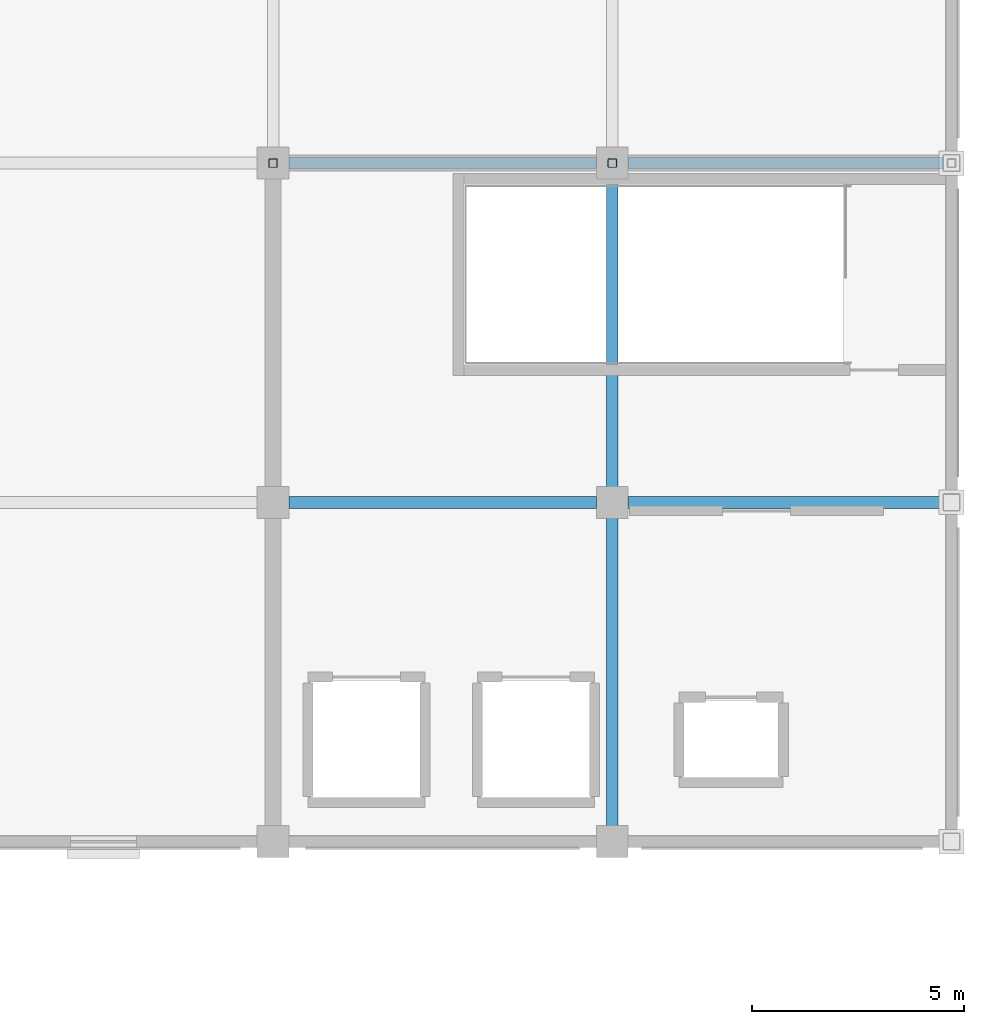
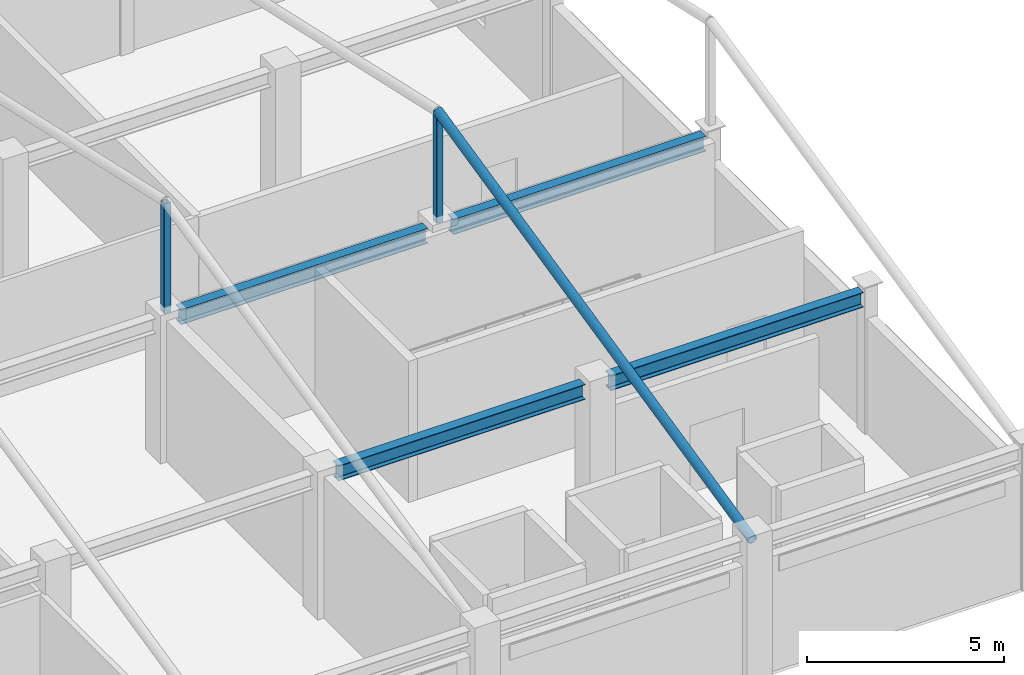
# One storey, part 8 of 16: 4 beams, 3 members.
"""IFC4 building model written with IfcOpenShell, lengths in metres."""

import ifcopenshell
import ifcopenshell.guid

model = None  # the IFC model being written
_history = None  # IfcOwnerHistory: only IFC2X3 demands one
_inside = {}  # id of a spatial element -> (the spatial element, [elements in it])
_under = {}  # id of a project, library or spatial element -> (it, [spatial elements below it])
_declared = {}  # id of a project -> (the project, [libraries it declares])
_typed = {}  # id of a type object -> (the type object, [elements of that type])
_made_of = {}  # id of a material, layer set ... -> (it, [elements and type objects made of it])


def new_model(schema):
    """Start an empty IFC model of exactly this schema.

    Asked for "IFC4X3", IfcOpenShell would pick the latest addendum, in which some entities
    have other attributes; the version numbers below select the first issue.
    IFC2X3 requires an IfcOwnerHistory on every rooted entity: one is made here for all.
    """
    global model, _history
    if schema == "IFC4X3":
        model = ifcopenshell.file(schema_version=(4, 3, 0, 0))
    else:
        model = ifcopenshell.file(schema=schema)
    _inside.clear()
    _under.clear()
    _declared.clear()
    _typed.clear()
    _made_of.clear()
    _history = None
    if model.schema == "IFC2X3":
        org = make("IfcOrganization", Name="unknown")
        user = make(
            "IfcPersonAndOrganization",
            ThePerson=make("IfcPerson", FamilyName="unknown"),
            TheOrganization=org,
        )
        app = make(
            "IfcApplication",
            ApplicationDeveloper=org,
            Version="unknown",
            ApplicationFullName="unknown",
            ApplicationIdentifier="unknown",
        )
        _history = make(
            "IfcOwnerHistory",
            OwningUser=user,
            OwningApplication=app,
            ChangeAction="ADDED",
            CreationDate=0,
        )
    return model


def make(cls, **values):
    """One entity of the class cls with the attributes given. An attribute that is None is left unset."""
    return model.create_entity(
        cls, **{name: value for name, value in values.items() if value is not None}
    )


def rooted(cls, **values):
    """An entity with a GlobalId (a new one), such as an element, a storey or a relation."""
    return make(cls, GlobalId=ifcopenshell.guid.new(), OwnerHistory=_history, **values)


def si_unit(unit_type, name, prefix=None):
    """IfcSIUnit, for example si_unit("LENGTHUNIT", "METRE", prefix="MILLI")."""
    return make("IfcSIUnit", UnitType=unit_type, Prefix=prefix, Name=name)


def assignment(units):
    """IfcUnitAssignment: the units of a project."""
    return None if units is None else make("IfcUnitAssignment", Units=units)


def point(xyz):
    """IfcCartesianPoint."""
    return None if xyz is None else make("IfcCartesianPoint", Coordinates=xyz)


def direction(xyz):
    """IfcDirection."""
    return None if xyz is None else make("IfcDirection", DirectionRatios=xyz)


def frame(location, z_axis=None, x_axis=None):
    """IfcAxis2Placement3D, a coordinate frame: its origin and axes. An axis left out is left unset."""
    return make(
        "IfcAxis2Placement3D",
        Location=point(location),
        Axis=direction(z_axis),
        RefDirection=direction(x_axis),
    )


def frame_2d(location, x_axis=None):
    """IfcAxis2Placement2D, a coordinate frame in the plane: its origin and x axis."""
    return make(
        "IfcAxis2Placement2D", Location=point(location), RefDirection=direction(x_axis)
    )


def origin():
    """The frame at (0, 0, 0) with its axes left unset."""
    return frame((0.0, 0.0, 0.0))


def origin_2d():
    """The frame at (0, 0) in the plane with its x axis left unset."""
    return frame_2d((0.0, 0.0))


def place(relative_to, where):
    """IfcLocalPlacement: puts the frame where relative to a parent placement (None: the world)."""
    return make(
        "IfcLocalPlacement", PlacementRelTo=relative_to, RelativePlacement=where
    )


def context(
    kind, dimensions, precision=None, world=None, true_north=None, identifier=None
):
    """IfcGeometricRepresentationContext, for example the 3D "Model" context."""
    return make(
        "IfcGeometricRepresentationContext",
        ContextIdentifier=identifier,
        ContextType=kind,
        CoordinateSpaceDimension=dimensions,
        Precision=precision,
        WorldCoordinateSystem=world,
        TrueNorth=true_north,
    )


def subcontext(parent, identifier, kind, view, scale=None):
    """IfcGeometricRepresentationSubContext, for example "Body" below "Model"."""
    return make(
        "IfcGeometricRepresentationSubContext",
        ContextIdentifier=identifier,
        ContextType=kind,
        ParentContext=parent,
        TargetScale=scale,
        TargetView=view,
    )


def project(units=None, contexts=None):
    """IfcProject with its units and contexts."""
    return rooted(
        "IfcProject",
        Name="project",
        RepresentationContexts=contexts,
        UnitsInContext=assignment(units),
    )


def spatial(cls, under=None, at=None, **own):
    """A site, building, storey or space (cls), placed at a placement, below another one or the project."""
    s = rooted(cls, ObjectPlacement=at, **own)
    if under is not None:
        _under.setdefault(under.id(), (under, []))[1].append(s)
    return s


def profile(cls, at=None, kind="AREA", **sizes):
    """A parametric profile (cls). Its sizes go by their IFC names, for example OverallWidth=200.0."""
    return make(cls, ProfileType=kind, Position=at, **sizes)


def hollow_rectangle(**sizes):
    """IfcRectangleHollowProfileDef."""
    return profile("IfcRectangleHollowProfileDef", **sizes)


def hollow_circle(**sizes):
    """IfcCircleHollowProfileDef."""
    return profile("IfcCircleHollowProfileDef", **sizes)


def i_section(**sizes):
    """IfcIShapeProfileDef."""
    return profile("IfcIShapeProfileDef", **sizes)


def extrude(swept, where, along, depth):
    """IfcExtrudedAreaSolid: the profile swept, set in the frame where, extruded along a direction by depth."""
    return make(
        "IfcExtrudedAreaSolid",
        SweptArea=swept,
        Position=where,
        ExtrudedDirection=direction(along),
        Depth=depth,
    )


def shape(context_of_items, identifier, shape_type, items):
    """IfcShapeRepresentation: the items that make up one representation, for example the "Body"."""
    return make(
        "IfcShapeRepresentation",
        ContextOfItems=context_of_items,
        RepresentationIdentifier=identifier,
        RepresentationType=shape_type,
        Items=items,
    )


def material(Name=None, Category=None):
    """IfcMaterial."""
    return make("IfcMaterial", Name=Name, Category=Category)


def material_profile(
    of_material, cross_section, Name=None, Category=None, Priority=None
):
    """IfcMaterialProfile: a cross section and its material."""
    return make(
        "IfcMaterialProfile",
        Name=Name,
        Material=of_material,
        Profile=cross_section,
        Priority=Priority,
        Category=Category,
    )


def profile_set(profiles, Name=None, composite=None):
    """IfcMaterialProfileSet."""
    return make(
        "IfcMaterialProfileSet",
        Name=Name,
        MaterialProfiles=profiles,
        CompositeProfile=composite,
    )


def made_of(thing, what):
    """Note that an element or type object is made of a material, layer set ...; save() writes the relation."""
    if what is not None:
        _made_of.setdefault(what.id(), (what, []))[1].append(thing)
    return thing


def type_object(cls, material=None, **own):
    """A type object (cls), such as IfcWallType, which elements share."""
    return made_of(rooted(cls, **own), material)


def element(
    cls,
    number,
    at=None,
    inside=None,
    cuts=None,
    type_object=None,
    material=None,
    context=None,
    identifier="Body",
    shape_type=None,
    held_by="IfcProductDefinitionShape",
    body=None,
    shapes=None,
    **own,
):
    """One element of the class cls, such as IfcWall. Its Tag is "e" and its number.

    at: its placement. inside: the storey or other place that contains it. cuts: it is an
    opening in that element (IfcRelVoidsElement). A single representation is given by context,
    identifier, shape_type and body (its items); several are given by shapes. held_by: the class
    of the entity that holds the representations. save() writes the other relations.
    """
    e = rooted(cls, Tag="e%d" % number, ObjectPlacement=at, **own)
    if body is not None:
        shapes = [shape(context, identifier, shape_type, body)]
    if shapes is not None:
        e.Representation = make(held_by, Representations=shapes)
    if inside is not None:
        _inside.setdefault(inside.id(), (inside, []))[1].append(e)
    if cuts is not None:
        rooted(
            "IfcRelVoidsElement", RelatingBuildingElement=cuts, RelatedOpeningElement=e
        )
    if type_object is not None:
        _typed.setdefault(type_object.id(), (type_object, []))[1].append(e)
    return made_of(e, material)


def aggregate(whole, parts):
    """IfcRelAggregates: a whole, such as a stair, and the parts it consists of."""
    return rooted("IfcRelAggregates", RelatingObject=whole, RelatedObjects=parts)


def save(model, path):
    """Write the relations noted so far, then the file.

    IfcRelAggregates (storeys below a building ...), IfcRelContainedInSpatialStructure (elements
    in a storey), IfcRelDefinesByType, IfcRelAssociatesMaterial and IfcRelDeclares: one each for
    every whole, place, type object, material and project.
    """
    for whole, parts in _under.values():
        aggregate(whole, parts)
    for where, things in _inside.values():
        rooted(
            "IfcRelContainedInSpatialStructure",
            RelatedElements=things,
            RelatingStructure=where,
        )
    for kind, things in _typed.values():
        rooted("IfcRelDefinesByType", RelatedObjects=things, RelatingType=kind)
    for what, things in _made_of.values():
        rooted("IfcRelAssociatesMaterial", RelatedObjects=things, RelatingMaterial=what)
    for by, libraries in _declared.values():
        rooted("IfcRelDeclares", RelatingContext=by, RelatedDefinitions=libraries)
    model.write(path)


model = new_model("IFC4")

# Units and contexts
model_context = context("Model", 3, precision=1e-05, world=origin(), true_north=direction((0.0, 1.0)))
body_context = subcontext(model_context, "Body", "Model", "MODEL_VIEW")
ifc_project = project(units=[si_unit("LENGTHUNIT", "METRE"), si_unit("AREAUNIT", "SQUARE_METRE"), si_unit("VOLUMEUNIT", "CUBIC_METRE"), si_unit("PLANEANGLEUNIT", "RADIAN"), si_unit("MASSUNIT", "GRAM", prefix="KILO")], contexts=[model_context])

# Site, building, storey
site_placement = place(None, origin())
site = spatial("IfcSite", under=ifc_project, at=site_placement, CompositionType="ELEMENT")
building_placement = place(site_placement, origin())
building = spatial("IfcBuilding", under=site, at=building_placement, Name="Solmirada Galleria", CompositionType="ELEMENT")
storey_placement = place(building_placement, frame((0.0, 0.0, 32.89990234375)))
storey = spatial("IfcBuildingStorey", under=building, at=storey_placement, Name="L07", CompositionType="ELEMENT", Elevation=32.89990234375)

# Beams
ifc_material_1 = material(Name="Steel S355 / ASTM A992 Grade 50", Category="steel")
ifc_material_profile_1 = material_profile(ifc_material_1, i_section(OverallWidth=0.281982421875, OverallDepth=0.467041015625, WebThickness=0.01220703125, FlangeThickness=0.01953125, FilletRadius=0.013916015625, at=origin_2d()), Name="W18X86")
ifc_profile_set_1 = profile_set([ifc_material_profile_1], Name="Steel S355 / ASTM A992 Grade 50")
beam_type = type_object("IfcBeamType", Name="BM-GIRD-W18A", PredefinedType="BEAM", material=ifc_profile_set_1)
for number, where, z_axis, x_axis, name in (
    (1, (160.375, 96.0, 4.150146484375), (1.0, 0.0, 0.0), (0.0, 1.0, 0.0), "NE roof tie girder X=160..168"),
    (2, (160.375, 104.0, 4.150146484375), (1.0, 0.0, 0.0), (0.0, 1.0, 0.0), "NE roof tie girder X=160..168"),
):
    element("IfcBeam", number, at=place(storey_placement, frame(where, z_axis=z_axis, x_axis=x_axis)), inside=storey, type_object=beam_type, Name=name, PredefinedType="BEAM", context=body_context, shape_type="SweptSolid", body=[
        extrude(i_section(OverallWidth=0.281982421875, OverallDepth=0.467041015625, WebThickness=0.01220703125, FlangeThickness=0.01953125, FilletRadius=0.013916015625, at=origin_2d()), origin(), (0.0, 0.0, 1.0), 7.25),
    ])
for number, where, z_axis, x_axis, name in (
    (3, (168.375, 96.0, 4.150146484375), (1.0, 0.0, 0.0), (0.0, 1.0, 0.0), "NE roof tie girder X=168..176"),
    (4, (168.375, 104.0, 4.150146484375), (1.0, 0.0, 0.0), (0.0, 1.0, 0.0), "NE roof tie girder X=168..176"),
):
    element("IfcBeam", number, at=place(storey_placement, frame(where, z_axis=z_axis, x_axis=x_axis)), inside=storey, type_object=beam_type, Name=name, PredefinedType="BEAM", context=body_context, shape_type="SweptSolid", body=[
        extrude(i_section(OverallWidth=0.281982421875, OverallDepth=0.467041015625, WebThickness=0.01220703125, FlangeThickness=0.01953125, FilletRadius=0.013916015625, at=origin_2d()), origin(), (0.0, 0.0, 1.0), 7.422119140625),
    ])

# Members
ifc_material_2 = material(Name="Steel S355 / ASTM A500 Grade C", Category="steel")
ifc_material_profile_2 = material_profile(ifc_material_2, hollow_rectangle(XDim=0.202880859375, YDim=0.202880859375, WallThickness=0.0087890625, InnerFilletRadius=0.0087890625, OuterFilletRadius=0.017822265625, at=origin_2d()), Name="HSS8X8X3/8")
ifc_profile_set_2 = profile_set([ifc_material_profile_2], Name="Steel S355 / ASTM A500 Grade C")
member_type_1 = type_object("IfcMemberType", Name="MEM-CBF-BRACE2", PredefinedType="BRACE", material=ifc_profile_set_2)
for number, where, z_axis, x_axis, name in (
    (5, (160.0, 104.0, 4.400146484375), (0.0, 0.0, 1.0), (1.0, 0.0, 0.0), "NE pediment ridge post X=160"),
    (6, (168.0, 104.0, 4.400146484375), (0.0, 0.0, 1.0), (1.0, 0.0, 0.0), "NE pediment ridge post X=168"),
):
    element("IfcMember", number, at=place(storey_placement, frame(where, z_axis=z_axis, x_axis=x_axis)), inside=storey, type_object=member_type_1, Name=name, PredefinedType="BRACE", context=body_context, shape_type="SweptSolid", body=[
        extrude(hollow_rectangle(XDim=0.202880859375, YDim=0.202880859375, WallThickness=0.0087890625, InnerFilletRadius=0.0087890625, OuterFilletRadius=0.017822265625, at=origin_2d()), origin(), (0.0, 0.0, 1.0), 3.39990234375),
    ])
ifc_material_profile_3 = material_profile(ifc_material_2, hollow_circle(Radius=0.136474609375, WallThickness=0.0087890625, at=origin_2d()), Name="HSS10.750X0.375")
ifc_profile_set_3 = profile_set([ifc_material_profile_3], Name="Steel S355 / ASTM A500 Grade C")
member_type_2 = type_object("IfcMemberType", Name="MEM-FH-CHORD", PredefinedType="CHORD", material=ifc_profile_set_3)
member_placement = place(storey_placement, frame((168.0, 88.0, 4.2001953125), z_axis=(0.0, 0.97561166892, 0.219503693515), x_axis=(-1.0, 0.0, 0.0)))
element("IfcMember", 7, at=member_placement, inside=storey, type_object=member_type_2, Name="NE pediment south rafter X=168", PredefinedType="CHORD", context=body_context, shape_type="SweptSolid", body=[
    extrude(hollow_circle(Radius=0.136474609375, WallThickness=0.0087890625, at=origin_2d()), origin(), (0.0, 0.0, 1.0), 16.39990234375),
])

save(model, "model.ifc")
